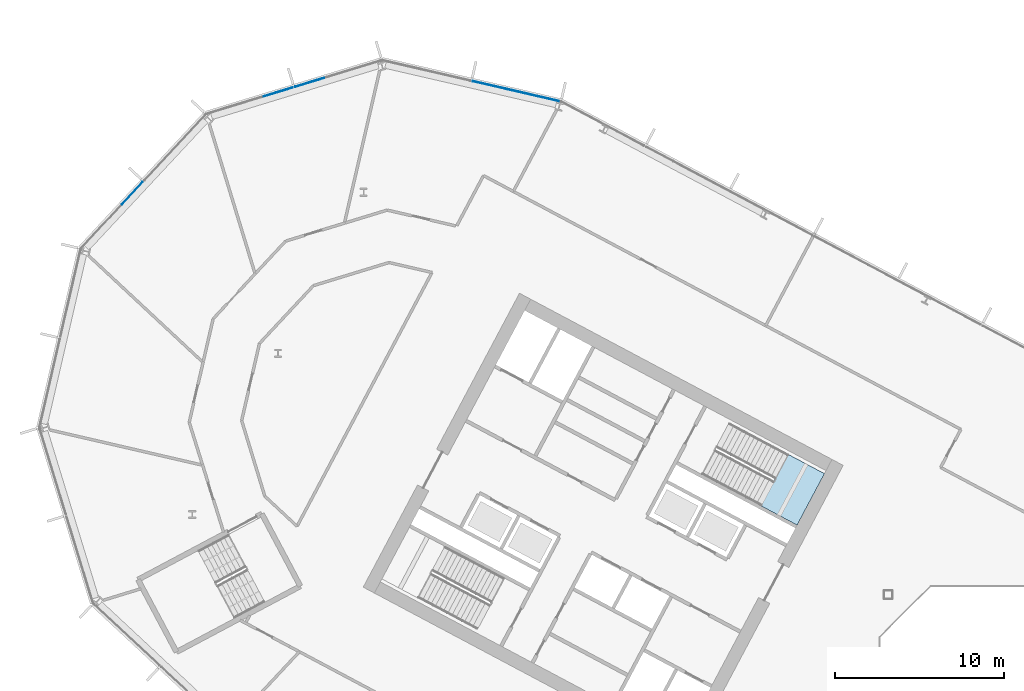
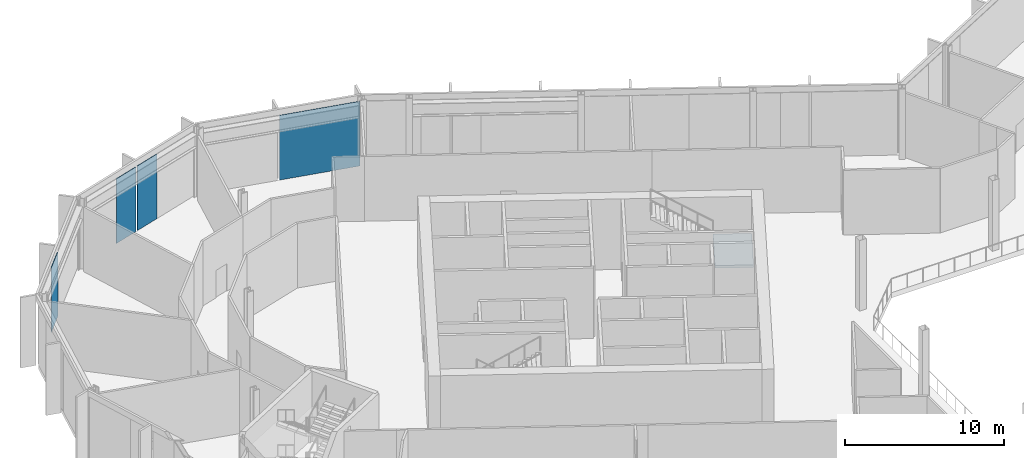
# One storey, part 11 of 31: 4 plates, 1 slab, 4 elements without a shape of their own.
"""IFC4 building model written with IfcOpenShell, lengths in metres."""

from ifc_helpers import new_model, si_unit, direction, frame, origin, origin_2d, place, context, subcontext, project, spatial, polyline, rectangle, outline, extrude, material, layer, layer_set, type_object, element, aggregate, save


model = new_model("IFC4")

# Units and contexts
model_context = context("Model", 3, precision=1e-05, world=origin(), true_north=direction((0.0, 1.0)))
body_context = subcontext(model_context, "Body", "Model", "MODEL_VIEW")
ifc_project = project(units=[si_unit("LENGTHUNIT", "METRE"), si_unit("AREAUNIT", "SQUARE_METRE"), si_unit("VOLUMEUNIT", "CUBIC_METRE"), si_unit("PLANEANGLEUNIT", "RADIAN"), si_unit("MASSUNIT", "GRAM", prefix="KILO")], contexts=[model_context])

# Site, building, storey
site_placement = place(None, origin())
site = spatial("IfcSite", under=ifc_project, at=site_placement, CompositionType="ELEMENT")
building_placement = place(site_placement, origin())
building = spatial("IfcBuilding", under=site, at=building_placement, Name="Cormorant Relay Tower", CompositionType="ELEMENT")
storey_placement = place(building_placement, frame((0.0, 0.0, 178.199951171875)))
storey = spatial("IfcBuildingStorey", under=building, at=storey_placement, Name="L38", CompositionType="ELEMENT", Elevation=178.199951171875)

# Curtain wall, plates
ifc_material_1 = material(Name="Aluminium 6063-T6 anodised bronze", Category="aluminium")
ifc_layer_1 = layer(ifc_material_1, 0.199951171875)
ifc_layer_set_1 = layer_set([ifc_layer_1], Name="CW1 unitised bronze curtain wall with vertical fins")
curtain_wall_type = type_object("IfcCurtainWallType", Name="CW1 unitised bronze curtain wall with vertical fins", PredefinedType="NOTDEFINED", material=ifc_layer_set_1)
curtain_wall_1_placement = place(storey_placement, origin())
curtain_wall_1 = element("IfcCurtainWall", 1, at=curtain_wall_1_placement, inside=storey, type_object=curtain_wall_type, Name="CW1 curtain wall 11", PredefinedType="NOTDEFINED")
ifc_material_2 = material(Name="Tinted laminated glass", Category="glass")
ifc_layer_2 = layer(ifc_material_2, 0.0400390625)
ifc_layer_set_2 = layer_set([ifc_layer_2], Name="CW1 tinted vision panel 1800 module")
plate_type_1 = type_object("IfcPlateType", Name="CW1 tinted vision panel 1800 module", PredefinedType="CURTAIN_PANEL", material=ifc_layer_set_2)
plate_1_placement = place(storey_placement, frame((-44.73681640625, 40.82861328125, 0.0), z_axis=(0.0, 0.0, 1.0), x_axis=(-0.956304755963, -0.292371704723, 0.0)))
plate_1 = element("IfcPlate", 2, at=plate_1_placement, type_object=plate_type_1, Name="CW1 panel V01", PredefinedType="CURTAIN_PANEL", context=body_context, shape_type="SweptSolid", body=[
    extrude(rectangle(XDim=1.800048828125, YDim=0.0400390625, at=origin_2d()), origin(), (0.0, 0.0, 1.0), 4.949951171875),
])
plate_2_placement = place(storey_placement, frame((-46.6015625, 40.25830078125, 0.0), z_axis=(0.0, 0.0, 1.0), x_axis=(-0.956304755963, -0.292371704723, 0.0)))
plate_2 = element("IfcPlate", 3, at=plate_2_placement, type_object=plate_type_1, Name="CW1 panel V02", PredefinedType="CURTAIN_PANEL", context=body_context, shape_type="SweptSolid", body=[
    extrude(rectangle(XDim=1.800048828125, YDim=0.0400390625, at=origin_2d()), origin(), (0.0, 0.0, 1.0), 4.949951171875),
])
aggregate(curtain_wall_1, [plate_1, plate_2])

# Curtain wall, plate
curtain_wall_2_placement = place(storey_placement, origin())
curtain_wall_2 = element("IfcCurtainWall", 4, at=curtain_wall_2_placement, inside=storey, type_object=curtain_wall_type, Name="CW1 curtain wall 12", PredefinedType="NOTDEFINED")
plate_3_placement = place(storey_placement, frame((-55.247314453125, 34.2607421875, 0.0), z_axis=(0.0, 0.0, 1.0), x_axis=(-0.681998360062, -0.731353701619, 0.0)))
plate_3 = element("IfcPlate", 5, at=plate_3_placement, type_object=plate_type_1, Name="CW1 panel V01", PredefinedType="CURTAIN_PANEL", context=body_context, shape_type="SweptSolid", body=[
    extrude(rectangle(XDim=1.800048828125, YDim=0.0400390625, at=origin_2d()), origin(), (0.0, 0.0, 1.0), 4.949951171875),
])
aggregate(curtain_wall_2, [plate_3])

curtain_wall_3_placement = place(storey_placement, origin())
curtain_wall_3 = element("IfcCurtainWall", 6, at=curtain_wall_3_placement, inside=storey, type_object=curtain_wall_type, Name="CW1 curtain wall 10", PredefinedType="NOTDEFINED")
ifc_material_3 = material(Name="Tinted laminated glass", Category="glass")
ifc_layer_3 = layer(ifc_material_3, 0.0400390625)
ifc_layer_set_3 = layer_set([ifc_layer_3], Name="CW1 tinted vision panel 5400 module")
plate_type_2 = type_object("IfcPlateType", Name="CW1 tinted vision panel 5400 module", PredefinedType="CURTAIN_PANEL", material=ifc_layer_set_3)
plate_4_placement = place(storey_placement, frame((-32.51708984375, 40.298828125, 0.0), z_axis=(0.0, 0.0, 1.0), x_axis=(-0.974370064785, 0.224951054344, 0.0)))
plate_4 = element("IfcPlate", 7, at=plate_4_placement, type_object=plate_type_2, Name="CW1 panel V00", PredefinedType="CURTAIN_PANEL", context=body_context, shape_type="SweptSolid", body=[
    extrude(rectangle(XDim=5.28515625, YDim=0.0400390625, at=origin_2d()), origin(), (0.0, 0.0, 1.0), 4.949951171875),
])
aggregate(curtain_wall_3, [plate_4])

# Stair, slab
ifc_material_4 = material(Name="Concrete 40 MPa", Category="concrete")
stair_type = type_object("IfcStairType", Name="Exit stair 1500", PredefinedType="HALF_TURN_STAIR", material=ifc_material_4)
stair_placement = place(storey_placement, origin())
stair = element("IfcStair", 8, at=stair_placement, inside=storey, type_object=stair_type, Name="L38 Stair", PredefinedType="HALF_TURN_STAIR")
ifc_material_5 = material(Name="Concrete 40 MPa", Category="concrete")
ifc_layer_4 = layer(ifc_material_5, 0.199951171875)
ifc_layer_set_4 = layer_set([ifc_layer_4], Name="Exit stair landing 200")
slab_type = type_object("IfcSlabType", Name="Exit stair landing 200", PredefinedType="LANDING", material=ifc_layer_set_4)
slab_placement = place(storey_placement, frame((0.0, 0.0, 2.5)))
slab = element("IfcSlab", 9, at=slab_placement, type_object=slab_type, Name="A1 landing 1", PredefinedType="LANDING", context=body_context, shape_type="SweptSolid", body=[
    extrude(outline(polyline([(-18.04052734375, 15.764892578125), (-15.89501953125, 14.6240234375), (-14.275390625, 17.670166015625), (-16.4208984375, 18.81103515625), (-18.04052734375, 15.764892578125)])), origin(), (0.0, 0.0, 1.0), 0.199951171875),
])
aggregate(stair, [slab])

save(model, "model.ifc")
